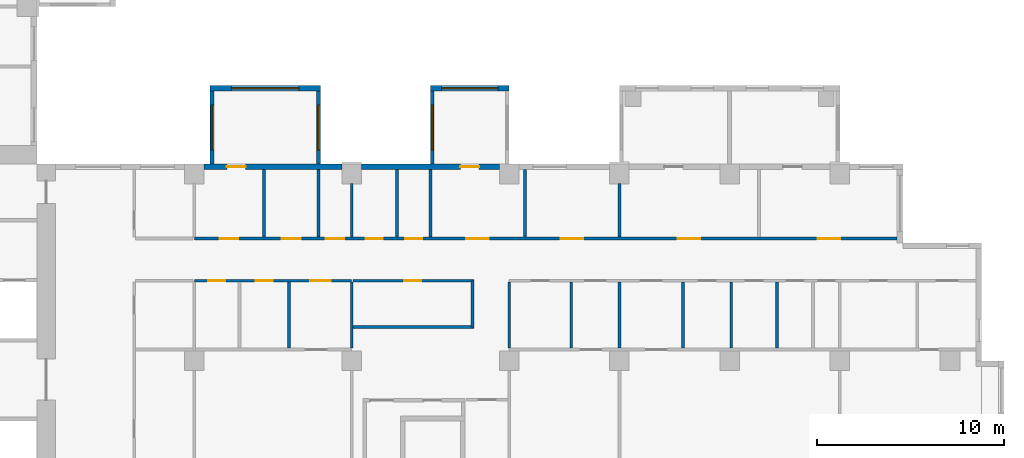
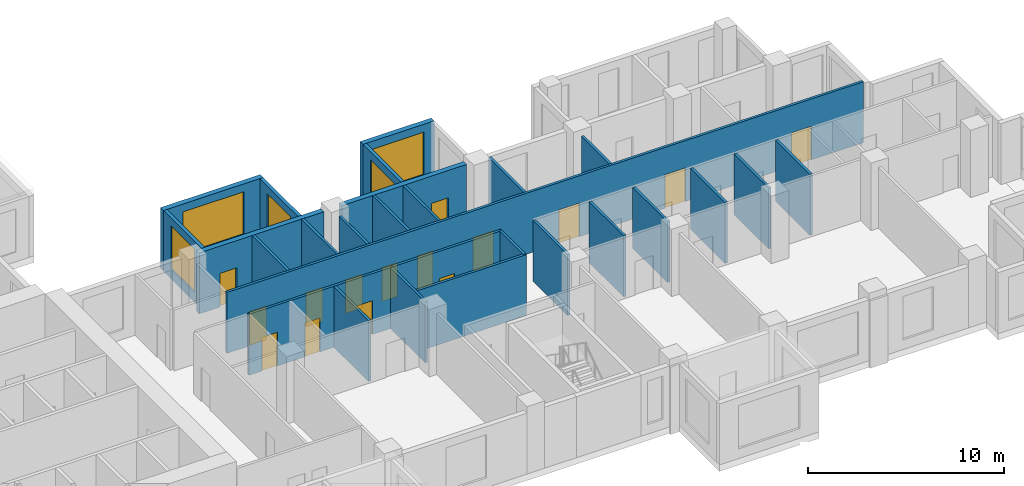
# One storey, part 5 of 15: 27 walls, 15 doors, 5 windows, 20 openings.
"""IFC4 building model written with IfcOpenShell, lengths in metres."""

import ifcopenshell
import ifcopenshell.guid

model = None  # the IFC model being written
_history = None  # IfcOwnerHistory: only IFC2X3 demands one
_inside = {}  # id of a spatial element -> (the spatial element, [elements in it])
_under = {}  # id of a project, library or spatial element -> (it, [spatial elements below it])
_declared = {}  # id of a project -> (the project, [libraries it declares])
_typed = {}  # id of a type object -> (the type object, [elements of that type])
_made_of = {}  # id of a material, layer set ... -> (it, [elements and type objects made of it])


def new_model(schema):
    """Start an empty IFC model of exactly this schema.

    Asked for "IFC4X3", IfcOpenShell would pick the latest addendum, in which some entities
    have other attributes; the version numbers below select the first issue.
    IFC2X3 requires an IfcOwnerHistory on every rooted entity: one is made here for all.
    """
    global model, _history
    if schema == "IFC4X3":
        model = ifcopenshell.file(schema_version=(4, 3, 0, 0))
    else:
        model = ifcopenshell.file(schema=schema)
    _inside.clear()
    _under.clear()
    _declared.clear()
    _typed.clear()
    _made_of.clear()
    _history = None
    if model.schema == "IFC2X3":
        org = make("IfcOrganization", Name="unknown")
        user = make(
            "IfcPersonAndOrganization",
            ThePerson=make("IfcPerson", FamilyName="unknown"),
            TheOrganization=org,
        )
        app = make(
            "IfcApplication",
            ApplicationDeveloper=org,
            Version="unknown",
            ApplicationFullName="unknown",
            ApplicationIdentifier="unknown",
        )
        _history = make(
            "IfcOwnerHistory",
            OwningUser=user,
            OwningApplication=app,
            ChangeAction="ADDED",
            CreationDate=0,
        )
    return model


def make(cls, **values):
    """One entity of the class cls with the attributes given. An attribute that is None is left unset."""
    return model.create_entity(
        cls, **{name: value for name, value in values.items() if value is not None}
    )


def rooted(cls, **values):
    """An entity with a GlobalId (a new one), such as an element, a storey or a relation."""
    return make(cls, GlobalId=ifcopenshell.guid.new(), OwnerHistory=_history, **values)


def si_unit(unit_type, name, prefix=None):
    """IfcSIUnit, for example si_unit("LENGTHUNIT", "METRE", prefix="MILLI")."""
    return make("IfcSIUnit", UnitType=unit_type, Prefix=prefix, Name=name)


def assignment(units):
    """IfcUnitAssignment: the units of a project."""
    return None if units is None else make("IfcUnitAssignment", Units=units)


def point(xyz):
    """IfcCartesianPoint."""
    return None if xyz is None else make("IfcCartesianPoint", Coordinates=xyz)


def direction(xyz):
    """IfcDirection."""
    return None if xyz is None else make("IfcDirection", DirectionRatios=xyz)


def frame(location, z_axis=None, x_axis=None):
    """IfcAxis2Placement3D, a coordinate frame: its origin and axes. An axis left out is left unset."""
    return make(
        "IfcAxis2Placement3D",
        Location=point(location),
        Axis=direction(z_axis),
        RefDirection=direction(x_axis),
    )


def frame_2d(location, x_axis=None):
    """IfcAxis2Placement2D, a coordinate frame in the plane: its origin and x axis."""
    return make(
        "IfcAxis2Placement2D", Location=point(location), RefDirection=direction(x_axis)
    )


def origin():
    """The frame at (0, 0, 0) with its axes left unset."""
    return frame((0.0, 0.0, 0.0))


def place(relative_to, where):
    """IfcLocalPlacement: puts the frame where relative to a parent placement (None: the world)."""
    return make(
        "IfcLocalPlacement", PlacementRelTo=relative_to, RelativePlacement=where
    )


def context(
    kind, dimensions, precision=None, world=None, true_north=None, identifier=None
):
    """IfcGeometricRepresentationContext, for example the 3D "Model" context."""
    return make(
        "IfcGeometricRepresentationContext",
        ContextIdentifier=identifier,
        ContextType=kind,
        CoordinateSpaceDimension=dimensions,
        Precision=precision,
        WorldCoordinateSystem=world,
        TrueNorth=true_north,
    )


def subcontext(parent, identifier, kind, view, scale=None):
    """IfcGeometricRepresentationSubContext, for example "Body" below "Model"."""
    return make(
        "IfcGeometricRepresentationSubContext",
        ContextIdentifier=identifier,
        ContextType=kind,
        ParentContext=parent,
        TargetScale=scale,
        TargetView=view,
    )


def project(units=None, contexts=None):
    """IfcProject with its units and contexts."""
    return rooted(
        "IfcProject",
        Name="project",
        RepresentationContexts=contexts,
        UnitsInContext=assignment(units),
    )


def spatial(cls, under=None, at=None, **own):
    """A site, building, storey or space (cls), placed at a placement, below another one or the project."""
    s = rooted(cls, ObjectPlacement=at, **own)
    if under is not None:
        _under.setdefault(under.id(), (under, []))[1].append(s)
    return s


def profile(cls, at=None, kind="AREA", **sizes):
    """A parametric profile (cls). Its sizes go by their IFC names, for example OverallWidth=200.0."""
    return make(cls, ProfileType=kind, Position=at, **sizes)


def rectangle(**sizes):
    """IfcRectangleProfileDef."""
    return profile("IfcRectangleProfileDef", **sizes)


def extrude(swept, where, along, depth):
    """IfcExtrudedAreaSolid: the profile swept, set in the frame where, extruded along a direction by depth."""
    return make(
        "IfcExtrudedAreaSolid",
        SweptArea=swept,
        Position=where,
        ExtrudedDirection=direction(along),
        Depth=depth,
    )


def shape(context_of_items, identifier, shape_type, items):
    """IfcShapeRepresentation: the items that make up one representation, for example the "Body"."""
    return make(
        "IfcShapeRepresentation",
        ContextOfItems=context_of_items,
        RepresentationIdentifier=identifier,
        RepresentationType=shape_type,
        Items=items,
    )


def source(mapping_origin, context_of_items, identifier, shape_type, items):
    """IfcRepresentationMap: a shape defined once, which mapped items show again and again."""
    return make(
        "IfcRepresentationMap",
        MappingOrigin=mapping_origin,
        MappedRepresentation=shape(context_of_items, identifier, shape_type, items),
    )


def transform(
    local_origin,
    x_axis=None,
    y_axis=None,
    z_axis=None,
    scale=None,
    scale2=None,
    scale3=None,
    uniform=True,
):
    """IfcCartesianTransformationOperator3D, or its non-uniform kind. x_axis, y_axis, z_axis: its Axis1, 2, 3."""
    if uniform:
        return make(
            "IfcCartesianTransformationOperator3D",
            Axis1=direction(x_axis),
            Axis2=direction(y_axis),
            LocalOrigin=point(local_origin),
            Scale=scale,
            Axis3=direction(z_axis),
        )
    return make(
        "IfcCartesianTransformationOperator3DnonUniform",
        Axis1=direction(x_axis),
        Axis2=direction(y_axis),
        LocalOrigin=point(local_origin),
        Scale=scale,
        Axis3=direction(z_axis),
        Scale2=scale2,
        Scale3=scale3,
    )


def mapped(mapping_source, mapping_target):
    """IfcMappedItem: shows the shape of a source again, moved by a transform."""
    return make(
        "IfcMappedItem", MappingSource=mapping_source, MappingTarget=mapping_target
    )


def material(Name=None, Category=None):
    """IfcMaterial."""
    return make("IfcMaterial", Name=Name, Category=Category)


def layer(
    of_material, thickness, ventilated=None, Name=None, Category=None, Priority=None
):
    """IfcMaterialLayer: one layer of a wall or slab, of a material (None: an air gap)."""
    return make(
        "IfcMaterialLayer",
        Material=of_material,
        LayerThickness=thickness,
        IsVentilated=ventilated,
        Name=Name,
        Category=Category,
        Priority=Priority,
    )


def layer_set(layers, Name=None):
    """IfcMaterialLayerSet."""
    return make("IfcMaterialLayerSet", MaterialLayers=layers, LayerSetName=Name)


def made_of(thing, what):
    """Note that an element or type object is made of a material, layer set ...; save() writes the relation."""
    if what is not None:
        _made_of.setdefault(what.id(), (what, []))[1].append(thing)
    return thing


def type_object(cls, material=None, **own):
    """A type object (cls), such as IfcWallType, which elements share."""
    return made_of(rooted(cls, **own), material)


def element(
    cls,
    number,
    at=None,
    inside=None,
    cuts=None,
    type_object=None,
    material=None,
    context=None,
    identifier="Body",
    shape_type=None,
    held_by="IfcProductDefinitionShape",
    body=None,
    shapes=None,
    **own,
):
    """One element of the class cls, such as IfcWall. Its Tag is "e" and its number.

    at: its placement. inside: the storey or other place that contains it. cuts: it is an
    opening in that element (IfcRelVoidsElement). A single representation is given by context,
    identifier, shape_type and body (its items); several are given by shapes. held_by: the class
    of the entity that holds the representations. save() writes the other relations.
    """
    e = rooted(cls, Tag="e%d" % number, ObjectPlacement=at, **own)
    if body is not None:
        shapes = [shape(context, identifier, shape_type, body)]
    if shapes is not None:
        e.Representation = make(held_by, Representations=shapes)
    if inside is not None:
        _inside.setdefault(inside.id(), (inside, []))[1].append(e)
    if cuts is not None:
        rooted(
            "IfcRelVoidsElement", RelatingBuildingElement=cuts, RelatedOpeningElement=e
        )
    if type_object is not None:
        _typed.setdefault(type_object.id(), (type_object, []))[1].append(e)
    return made_of(e, material)


def fill(opening, filler):
    """IfcRelFillsElement: the door or window that sits in an opening."""
    return rooted(
        "IfcRelFillsElement",
        RelatingOpeningElement=opening,
        RelatedBuildingElement=filler,
    )


def aggregate(whole, parts):
    """IfcRelAggregates: a whole, such as a stair, and the parts it consists of."""
    return rooted("IfcRelAggregates", RelatingObject=whole, RelatedObjects=parts)


def save(model, path):
    """Write the relations noted so far, then the file.

    IfcRelAggregates (storeys below a building ...), IfcRelContainedInSpatialStructure (elements
    in a storey), IfcRelDefinesByType, IfcRelAssociatesMaterial and IfcRelDeclares: one each for
    every whole, place, type object, material and project.
    """
    for whole, parts in _under.values():
        aggregate(whole, parts)
    for where, things in _inside.values():
        rooted(
            "IfcRelContainedInSpatialStructure",
            RelatedElements=things,
            RelatingStructure=where,
        )
    for kind, things in _typed.values():
        rooted("IfcRelDefinesByType", RelatedObjects=things, RelatingType=kind)
    for what, things in _made_of.values():
        rooted("IfcRelAssociatesMaterial", RelatedObjects=things, RelatingMaterial=what)
    for by, libraries in _declared.values():
        rooted("IfcRelDeclares", RelatingContext=by, RelatedDefinitions=libraries)
    model.write(path)


model = new_model("IFC4")

# Units and contexts
model_context = context("Model", 3, precision=1e-05, world=origin(), true_north=direction((0.0, 1.0)))
body_context = subcontext(model_context, "Body", "Model", "MODEL_VIEW")
ifc_project = project(units=[si_unit("LENGTHUNIT", "METRE"), si_unit("AREAUNIT", "SQUARE_METRE"), si_unit("VOLUMEUNIT", "CUBIC_METRE"), si_unit("PLANEANGLEUNIT", "RADIAN"), si_unit("MASSUNIT", "GRAM", prefix="KILO")], contexts=[model_context])

# Site, building, storey
site_placement = place(None, origin())
site = spatial("IfcSite", under=ifc_project, at=site_placement, CompositionType="ELEMENT")
building_placement = place(site_placement, origin())
building = spatial("IfcBuilding", under=site, at=building_placement, Name="Aurelian Terraces", CompositionType="ELEMENT")
storey_placement = place(building_placement, frame((0.0, 0.0, 137.1)))
storey = spatial("IfcBuildingStorey", under=building, at=storey_placement, Name="L30", CompositionType="ELEMENT", Elevation=137.1)

# Wall, opening, window
ifc_material_1 = material(Name="Concrete fc' 40 MPa", Category="concrete")
ifc_layer_1 = layer(ifc_material_1, 0.2)
ifc_layer_set_1 = layer_set([ifc_layer_1], Name="BOX BEARING WALL 200")
wall_type_1 = type_object("IfcWallType", Name="BOX BEARING WALL 200", PredefinedType="SOLIDWALL", material=ifc_layer_set_1)
shared_shape_1 = source(origin(), body_context, "Body", "SweptSolid", [
    extrude(rectangle(XDim=3.9, YDim=0.2, at=frame_2d((1.95, 0.0))), origin(), (0.0, 0.0, 1.0), 3.79),
])
wall_1_placement = place(storey_placement, frame((36.02, 21.0, 0.0), z_axis=(0.0, 0.0, 1.0), x_axis=(0.0, 1.0, 0.0)))
wall_1 = element("IfcWall", 1, at=wall_1_placement, inside=storey, type_object=wall_type_1, Name="Box return L30 J42.1", PredefinedType="SOLIDWALL", context=body_context, shape_type="MappedRepresentation", body=[
    mapped(shared_shape_1, transform((0.0, 0.0, 0.0), scale=1.0)),
])
shared_shape_2 = source(origin(), body_context, "Body", "SweptSolid", [
    extrude(rectangle(XDim=2.4, YDim=2.7, at=frame_2d((1.2, 1.35))), frame((0.0, 0.11, 0.0), z_axis=(0.0, -1.0, 0.0), x_axis=(1.0, 0.0, 0.0)), (0.0, 0.0, 1.0), 0.22),
])
opening_1_placement = place(wall_1_placement, frame((0.75, 0.0, 0.6)))
opening_1 = element("IfcOpeningElement", 2, at=opening_1_placement, cuts=wall_1, Name="Opening W2427", PredefinedType="OPENING", context=body_context, shape_type="MappedRepresentation", body=[
    mapped(shared_shape_2, transform((0.0, 0.0, 0.0), scale=1.0)),
])
ifc_material_2 = material(Name="Clear glazing", Category="glass")
window_type_1 = type_object("IfcWindowType", Name="W-2400x2700", PartitioningType="SINGLE_PANEL", PredefinedType="WINDOW", material=ifc_material_2)
shared_shape_3 = source(origin(), body_context, "Body", "SweptSolid", [
    extrude(rectangle(XDim=2.4, YDim=2.7, at=frame_2d((1.2, 1.35))), frame((0.0, 0.03, 0.0), z_axis=(0.0, -1.0, 0.0), x_axis=(1.0, 0.0, 0.0)), (0.0, 0.0, 1.0), 0.06),
])
window_1_placement = place(opening_1_placement, origin())
window_1 = element("IfcWindow", 3, at=window_1_placement, inside=storey, type_object=window_type_1, Name="Window L30 J42-S1", OverallHeight=2.7, OverallWidth=2.4, PartitioningType="SINGLE_PANEL", PredefinedType="WINDOW", context=body_context, shape_type="MappedRepresentation", body=[
    mapped(shared_shape_3, transform((0.0, 0.0, 0.0), scale=1.0)),
])
fill(opening_1, window_1)

wall_2_placement = place(storey_placement, frame((30.34, 21.0, 0.0), z_axis=(0.0, 0.0, 1.0), x_axis=(0.0, 1.0, 0.0)))
wall_2 = element("IfcWall", 4, at=wall_2_placement, inside=storey, type_object=wall_type_1, Name="Box return L30 J42.2", PredefinedType="SOLIDWALL", context=body_context, shape_type="MappedRepresentation", body=[
    mapped(shared_shape_1, transform((0.0, 0.0, 0.0), scale=1.0)),
])
opening_2_placement = place(wall_2_placement, frame((0.75, 0.0, 0.6)))
opening_2 = element("IfcOpeningElement", 5, at=opening_2_placement, cuts=wall_2, Name="Opening W2427", PredefinedType="OPENING", context=body_context, shape_type="MappedRepresentation", body=[
    mapped(shared_shape_2, transform((0.0, 0.0, 0.0), scale=1.0)),
])
window_2_placement = place(opening_2_placement, origin())
window_2 = element("IfcWindow", 6, at=window_2_placement, inside=storey, type_object=window_type_1, Name="Window L30 J42-S2", OverallHeight=2.7, OverallWidth=2.4, PartitioningType="SINGLE_PANEL", PredefinedType="WINDOW", context=body_context, shape_type="MappedRepresentation", body=[
    mapped(shared_shape_3, transform((0.0, 0.0, 0.0), scale=1.0)),
])
fill(opening_2, window_2)

wall_3_placement = place(storey_placement, frame((42.1, 21.0, 0.0), z_axis=(0.0, 0.0, 1.0), x_axis=(0.0, 1.0, 0.0)))
wall_3 = element("IfcWall", 7, at=wall_3_placement, inside=storey, type_object=wall_type_1, Name="Box return L30 J43.2", PredefinedType="SOLIDWALL", context=body_context, shape_type="MappedRepresentation", body=[
    mapped(shared_shape_1, transform((0.0, 0.0, 0.0), scale=1.0)),
])
opening_3_placement = place(wall_3_placement, frame((0.75, 0.0, 0.6)))
opening_3 = element("IfcOpeningElement", 8, at=opening_3_placement, cuts=wall_3, Name="Opening W2427", PredefinedType="OPENING", context=body_context, shape_type="MappedRepresentation", body=[
    mapped(shared_shape_2, transform((0.0, 0.0, 0.0), scale=1.0)),
])
window_3_placement = place(opening_3_placement, origin())
window_3 = element("IfcWindow", 9, at=window_3_placement, inside=storey, type_object=window_type_1, Name="Window L30 J43-S2", OverallHeight=2.7, OverallWidth=2.4, PartitioningType="SINGLE_PANEL", PredefinedType="WINDOW", context=body_context, shape_type="MappedRepresentation", body=[
    mapped(shared_shape_3, transform((0.0, 0.0, 0.0), scale=1.0)),
])
fill(opening_3, window_3)

ifc_layer_2 = layer(ifc_material_1, 0.3)
ifc_layer_set_2 = layer_set([ifc_layer_2], Name="BOX BEARING WALL 300")
wall_type_2 = type_object("IfcWallType", Name="BOX BEARING WALL 300", PredefinedType="SOLIDWALL", material=ifc_layer_set_2)
shared_shape_4 = source(origin(), body_context, "Body", "SweptSolid", [
    extrude(rectangle(XDim=5.88, YDim=0.3, at=frame_2d((2.94, 0.0))), origin(), (0.0, 0.0, 1.0), 3.79),
])
wall_4_placement = place(storey_placement, frame((36.12, 25.05, 0.0), z_axis=(0.0, 0.0, 1.0), x_axis=(-1.0, 0.0, 0.0)))
wall_4 = element("IfcWall", 10, at=wall_4_placement, inside=storey, type_object=wall_type_2, Name="Box wall L30 J42", PredefinedType="SOLIDWALL", context=body_context, shape_type="MappedRepresentation", body=[
    mapped(shared_shape_4, transform((0.0, 0.0, 0.0), scale=1.0)),
])
shared_shape_5 = source(origin(), body_context, "Body", "SweptSolid", [
    extrude(rectangle(XDim=3.6, YDim=2.7, at=frame_2d((1.8, 1.35))), frame((0.0, 0.16, 0.0), z_axis=(0.0, -1.0, 0.0), x_axis=(1.0, 0.0, 0.0)), (0.0, 0.0, 1.0), 0.32),
])
opening_4_placement = place(wall_4_placement, frame((1.14, 0.0, 0.6)))
opening_4 = element("IfcOpeningElement", 11, at=opening_4_placement, cuts=wall_4, Name="Opening W3627", PredefinedType="OPENING", context=body_context, shape_type="MappedRepresentation", body=[
    mapped(shared_shape_5, transform((0.0, 0.0, 0.0), scale=1.0)),
])
window_type_2 = type_object("IfcWindowType", Name="W-3600x2700", PartitioningType="SINGLE_PANEL", PredefinedType="WINDOW", material=ifc_material_2)
shared_shape_6 = source(origin(), body_context, "Body", "SweptSolid", [
    extrude(rectangle(XDim=3.6, YDim=2.7, at=frame_2d((1.8, 1.35))), frame((0.0, 0.03, 0.0), z_axis=(0.0, -1.0, 0.0), x_axis=(1.0, 0.0, 0.0)), (0.0, 0.0, 1.0), 0.06),
])
window_4_placement = place(opening_4_placement, origin())
window_4 = element("IfcWindow", 12, at=window_4_placement, inside=storey, type_object=window_type_2, Name="Window L30 J42-F1", OverallHeight=2.7, OverallWidth=3.6, PartitioningType="SINGLE_PANEL", PredefinedType="WINDOW", context=body_context, shape_type="MappedRepresentation", body=[
    mapped(shared_shape_6, transform((0.0, 0.0, 0.0), scale=1.0)),
])
fill(opening_4, window_4)

shared_shape_7 = source(origin(), body_context, "Body", "SweptSolid", [
    extrude(rectangle(XDim=4.2, YDim=0.3, at=frame_2d((2.1, 0.0))), origin(), (0.0, 0.0, 1.0), 3.79),
])
wall_5_placement = place(storey_placement, frame((46.2, 25.05, 0.0), z_axis=(0.0, 0.0, 1.0), x_axis=(-1.0, 0.0, 0.0)))
wall_5 = element("IfcWall", 13, at=wall_5_placement, inside=storey, type_object=wall_type_2, Name="Box wall L30 J43", PredefinedType="SOLIDWALL", context=body_context, shape_type="MappedRepresentation", body=[
    mapped(shared_shape_7, transform((0.0, 0.0, 0.0), scale=1.0)),
])
shared_shape_8 = source(origin(), body_context, "Body", "SweptSolid", [
    extrude(rectangle(XDim=3.0, YDim=2.7, at=frame_2d((1.5, 1.35))), frame((0.0, 0.16, 0.0), z_axis=(0.0, -1.0, 0.0), x_axis=(1.0, 0.0, 0.0)), (0.0, 0.0, 1.0), 0.32),
])
opening_5_placement = place(wall_5_placement, frame((0.6, 0.0, 0.6)))
opening_5 = element("IfcOpeningElement", 14, at=opening_5_placement, cuts=wall_5, Name="Opening W3027", PredefinedType="OPENING", context=body_context, shape_type="MappedRepresentation", body=[
    mapped(shared_shape_8, transform((0.0, 0.0, 0.0), scale=1.0)),
])
window_type_3 = type_object("IfcWindowType", Name="W-3000x2700", PartitioningType="SINGLE_PANEL", PredefinedType="WINDOW", material=ifc_material_2)
shared_shape_9 = source(origin(), body_context, "Body", "SweptSolid", [
    extrude(rectangle(XDim=3.0, YDim=2.7, at=frame_2d((1.5, 1.35))), frame((0.0, 0.03, 0.0), z_axis=(0.0, -1.0, 0.0), x_axis=(1.0, 0.0, 0.0)), (0.0, 0.0, 1.0), 0.06),
])
window_5_placement = place(opening_5_placement, origin())
window_5 = element("IfcWindow", 15, at=window_5_placement, inside=storey, type_object=window_type_3, Name="Window L30 J43-F1", OverallHeight=2.7, OverallWidth=3.0, PartitioningType="SINGLE_PANEL", PredefinedType="WINDOW", context=body_context, shape_type="MappedRepresentation", body=[
    mapped(shared_shape_9, transform((0.0, 0.0, 0.0), scale=1.0)),
])
fill(opening_5, window_5)

# Wall, opening, door
ifc_material_3 = material(Name="Terracotta rainscreen cladding", Category="masonry")
ifc_layer_3 = layer(ifc_material_3, 0.3)
ifc_layer_set_3 = layer_set([ifc_layer_3], Name="EW-300")
wall_type_3 = type_object("IfcWallType", Name="EW-300", PredefinedType="STANDARD", material=ifc_layer_set_3)
shared_shape_10 = source(origin(), body_context, "Body", "SweptSolid", [
    extrude(rectangle(XDim=7.35, YDim=0.3, at=frame_2d((3.675, 0.0))), origin(), (0.0, 0.0, 1.0), 3.8),
])
wall_6_placement = place(storey_placement, frame((45.675, 20.85, 0.0), z_axis=(0.0, 0.0, 1.0), x_axis=(-1.0, 0.0, 0.0)))
wall_6 = element("IfcWall", 16, at=wall_6_placement, inside=storey, type_object=wall_type_3, Name="External wall L30 F07.20", PredefinedType="STANDARD", context=body_context, shape_type="MappedRepresentation", body=[
    mapped(shared_shape_10, transform((0.0, 0.0, 0.0), scale=1.0)),
])
shared_shape_11 = source(origin(), body_context, "Body", "SweptSolid", [
    extrude(rectangle(XDim=1.0, YDim=2.1, at=frame_2d((0.5, 1.05))), frame((0.0, 0.16, 0.0), z_axis=(0.0, -1.0, 0.0), x_axis=(1.0, 0.0, 0.0)), (0.0, 0.0, 1.0), 0.32),
])
opening_6_placement = place(wall_6_placement, frame((1.075, 0.0, 0.0)))
opening_6 = element("IfcOpeningElement", 17, at=opening_6_placement, cuts=wall_6, Name="Opening 830005", PredefinedType="OPENING", context=body_context, shape_type="MappedRepresentation", body=[
    mapped(shared_shape_11, transform((0.0, 0.0, 0.0), scale=1.0)),
])
ifc_material_4 = material(Name="Timber door leaf", Category="wood")
door_type_1 = type_object("IfcDoorType", Name="Room door 1000x2100 left", OperationType="SINGLE_SWING_LEFT", PredefinedType="DOOR", material=ifc_material_4)
shared_shape_12 = source(origin(), body_context, "Body", "SweptSolid", [
    extrude(rectangle(XDim=1.0, YDim=2.1, at=frame_2d((0.5, 1.05))), frame((0.0, 0.025, 0.0), z_axis=(0.0, -1.0, 0.0), x_axis=(1.0, 0.0, 0.0)), (0.0, 0.0, 1.0), 0.05),
])
door_1_placement = place(opening_6_placement, origin())
door_1 = element("IfcDoor", 18, at=door_1_placement, inside=storey, type_object=door_type_1, Name="Door 830005", OperationType="SINGLE_SWING_LEFT", OverallHeight=2.1, OverallWidth=1.0, PredefinedType="DOOR", context=body_context, shape_type="MappedRepresentation", body=[
    mapped(shared_shape_12, transform((0.0, 0.0, 0.0), scale=1.0)),
])
fill(opening_6, door_1)

wall_7_placement = place(storey_placement, frame((37.275, 20.85, 0.0), z_axis=(0.0, 0.0, 1.0), x_axis=(-1.0, 0.0, 0.0)))
wall_7 = element("IfcWall", 19, at=wall_7_placement, inside=storey, type_object=wall_type_3, Name="External wall L30 F07.20", PredefinedType="STANDARD", context=body_context, shape_type="MappedRepresentation", body=[
    mapped(shared_shape_10, transform((0.0, 0.0, 0.0), scale=1.0)),
])
opening_7_placement = place(wall_7_placement, frame((5.135, 0.0, 0.0)))
opening_7 = element("IfcOpeningElement", 20, at=opening_7_placement, cuts=wall_7, Name="Opening 830004", PredefinedType="OPENING", context=body_context, shape_type="MappedRepresentation", body=[
    mapped(shared_shape_11, transform((0.0, 0.0, 0.0), scale=1.0)),
])
door_2_placement = place(opening_7_placement, origin())
door_2 = element("IfcDoor", 21, at=door_2_placement, inside=storey, type_object=door_type_1, Name="Door 830004", OperationType="SINGLE_SWING_LEFT", OverallHeight=2.1, OverallWidth=1.0, PredefinedType="DOOR", context=body_context, shape_type="MappedRepresentation", body=[
    mapped(shared_shape_12, transform((0.0, 0.0, 0.0), scale=1.0)),
])
fill(opening_7, door_2)

# Wall
ifc_material_5 = material(Name="Gypsum board on steel studs", Category="steel")
ifc_layer_4 = layer(ifc_material_5, 0.15)
ifc_layer_set_4 = layer_set([ifc_layer_4], Name="Partition 150")
wall_type_4 = type_object("IfcWallType", Name="Partition 150", PredefinedType="PARTITIONING", material=ifc_layer_set_4)
shared_shape_13 = source(origin(), body_context, "Body", "SweptSolid", [
    extrude(rectangle(XDim=6.45, YDim=0.15, at=frame_2d((3.225, 0.0))), origin(), (0.0, 0.0, 1.0), 3.8),
])
wall_8_placement = place(storey_placement, frame((37.875, 12.3, 0.0), z_axis=(0.0, 0.0, 1.0), x_axis=(1.0, 0.0, 0.0)))
element("IfcWall", 22, at=wall_8_placement, inside=storey, type_object=wall_type_4, Name="Partition", PredefinedType="PARTITIONING", context=body_context, shape_type="MappedRepresentation", body=[
    mapped(shared_shape_13, transform((0.0, 0.0, 0.0), scale=1.0)),
])

# Wall, opening, door
ifc_layer_5 = layer(ifc_material_5, 0.15)
ifc_layer_set_5 = layer_set([ifc_layer_5], Name="Fire partition 150")
wall_type_5 = type_object("IfcWallType", Name="Fire partition 150", PredefinedType="PARTITIONING", material=ifc_layer_set_5)
wall_9_placement = place(storey_placement, frame((44.325, 14.775, 0.0), z_axis=(0.0, 0.0, 1.0), x_axis=(-1.0, 0.0, 0.0)))
wall_9 = element("IfcWall", 23, at=wall_9_placement, inside=storey, type_object=wall_type_5, Name="Corridor wall", PredefinedType="PARTITIONING", context=body_context, shape_type="MappedRepresentation", body=[
    mapped(shared_shape_13, transform((0.0, 0.0, 0.0), scale=1.0)),
])
shared_shape_14 = source(origin(), body_context, "Body", "SweptSolid", [
    extrude(rectangle(XDim=0.9, YDim=2.1, at=frame_2d((0.45, 1.05))), frame((0.0, 0.085, 0.0), z_axis=(0.0, -1.0, 0.0), x_axis=(1.0, 0.0, 0.0)), (0.0, 0.0, 1.0), 0.17),
])
opening_8_placement = place(wall_9_placement, frame((2.8125, 0.0, 0.0)))
opening_8 = element("IfcOpeningElement", 24, at=opening_8_placement, cuts=wall_9, Name="Opening 730005", PredefinedType="OPENING", context=body_context, shape_type="MappedRepresentation", body=[
    mapped(shared_shape_14, transform((0.0, 0.0, 0.0), scale=1.0)),
])
door_type_2 = type_object("IfcDoorType", Name="Room door 900x2100 right", OperationType="SINGLE_SWING_RIGHT", PredefinedType="DOOR", material=ifc_material_4)
shared_shape_15 = source(origin(), body_context, "Body", "SweptSolid", [
    extrude(rectangle(XDim=0.9, YDim=2.1, at=frame_2d((0.45, 1.05))), frame((0.0, 0.025, 0.0), z_axis=(0.0, -1.0, 0.0), x_axis=(1.0, 0.0, 0.0)), (0.0, 0.0, 1.0), 0.05),
])
door_3_placement = place(opening_8_placement, origin())
door_3 = element("IfcDoor", 25, at=door_3_placement, inside=storey, type_object=door_type_2, Name="Door 730005", OperationType="SINGLE_SWING_RIGHT", OverallHeight=2.1, OverallWidth=0.9, PredefinedType="DOOR", context=body_context, shape_type="MappedRepresentation", body=[
    mapped(shared_shape_15, transform((0.0, 0.0, 0.0), scale=1.0)),
])
fill(opening_8, door_3)

# Walls
shared_shape_16 = source(origin(), body_context, "Body", "SweptSolid", [
    extrude(rectangle(XDim=3.6, YDim=0.15, at=frame_2d((1.8, 0.0))), origin(), (0.0, 0.0, 1.0), 3.8),
])
for number, where, z_axis, x_axis, name in (
    (26, (33.1133, 20.7, 0.0), (0.0, 0.0, 1.0), (0.0, -1.0, 0.0), "Partition"),
    (27, (36.024, 20.7, 0.0), (0.0, 0.0, 1.0), (0.0, -1.0, 0.0), "Partition"),
    (28, (40.2157, 20.7, 0.0), (0.0, 0.0, 1.0), (0.0, -1.0, 0.0), "Partition"),
    (29, (47.04, 20.7, 0.0), (0.0, 0.0, 1.0), (0.0, -1.0, 0.0), "Partition"),
    (30, (42.0, 17.1, 0.0), (0.0, 0.0, 1.0), (0.0, 1.0, 0.0), "Partition"),
):
    element("IfcWall", number, at=place(storey_placement, frame(where, z_axis=z_axis, x_axis=x_axis)), inside=storey, type_object=wall_type_4, Name=name, PredefinedType="PARTITIONING", context=body_context, shape_type="MappedRepresentation", body=[
        mapped(shared_shape_16, transform((0.0, 0.0, 0.0), scale=1.0)),
    ])

# Wall, openings, doors
shared_shape_17 = source(origin(), body_context, "Body", "SweptSolid", [
    extrude(rectangle(XDim=8.4, YDim=0.15, at=frame_2d((4.2, 0.0))), origin(), (0.0, 0.0, 1.0), 3.8),
])
wall_10_placement = place(storey_placement, frame((37.8, 14.775, 0.0), z_axis=(0.0, 0.0, 1.0), x_axis=(-1.0, 0.0, 0.0)))
wall_10 = element("IfcWall", 31, at=wall_10_placement, inside=storey, type_object=wall_type_5, Name="Corridor wall", PredefinedType="PARTITIONING", context=body_context, shape_type="MappedRepresentation", body=[
    mapped(shared_shape_17, transform((0.0, 0.0, 0.0), scale=1.0)),
])
shared_shape_18 = source(origin(), body_context, "Body", "SweptSolid", [
    extrude(rectangle(XDim=1.1, YDim=2.1, at=frame_2d((0.55, 1.05))), frame((0.0, 0.085, 0.0), z_axis=(0.0, -1.0, 0.0), x_axis=(1.0, 0.0, 0.0)), (0.0, 0.0, 1.0), 0.17),
])
opening_9_placement = place(wall_10_placement, frame((1.1203, 0.0, 0.0)))
opening_9 = element("IfcOpeningElement", 32, at=opening_9_placement, cuts=wall_10, Name="Opening 730007", PredefinedType="OPENING", context=body_context, shape_type="MappedRepresentation", body=[
    mapped(shared_shape_18, transform((0.0, 0.0, 0.0), scale=1.0)),
])
opening_10_placement = place(wall_10_placement, frame((6.7438, 0.0, 0.0)))
opening_10 = element("IfcOpeningElement", 33, at=opening_10_placement, cuts=wall_10, Name="Opening 730009", PredefinedType="OPENING", context=body_context, shape_type="MappedRepresentation", body=[
    mapped(shared_shape_14, transform((0.0, 0.0, 0.0), scale=1.0)),
])
opening_11_placement = place(wall_10_placement, frame((4.2141, 0.0, 0.0)))
opening_11 = element("IfcOpeningElement", 34, at=opening_11_placement, cuts=wall_10, Name="Opening 730010", PredefinedType="OPENING", context=body_context, shape_type="MappedRepresentation", body=[
    mapped(shared_shape_14, transform((0.0, 0.0, 0.0), scale=1.0)),
])
door_type_3 = type_object("IfcDoorType", Name="Room door 900x2100 left", OperationType="SINGLE_SWING_LEFT", PredefinedType="DOOR", material=ifc_material_4)
door_4_placement = place(opening_10_placement, origin())
door_4 = element("IfcDoor", 35, at=door_4_placement, inside=storey, type_object=door_type_3, Name="Door 730009", OperationType="SINGLE_SWING_LEFT", OverallHeight=2.1, OverallWidth=0.9, PredefinedType="DOOR", context=body_context, shape_type="MappedRepresentation", body=[
    mapped(shared_shape_15, transform((0.0, 0.0, 0.0), scale=1.0)),
])
fill(opening_10, door_4)
door_5_placement = place(opening_11_placement, origin())
door_5 = element("IfcDoor", 36, at=door_5_placement, inside=storey, type_object=door_type_2, Name="Door 730010", OperationType="SINGLE_SWING_RIGHT", OverallHeight=2.1, OverallWidth=0.9, PredefinedType="DOOR", context=body_context, shape_type="MappedRepresentation", body=[
    mapped(shared_shape_15, transform((0.0, 0.0, 0.0), scale=1.0)),
])
fill(opening_11, door_5)
door_type_4 = type_object("IfcDoorType", Name="Room door 1100x2100 left", OperationType="SINGLE_SWING_LEFT", PredefinedType="DOOR", material=ifc_material_4)
shared_shape_19 = source(origin(), body_context, "Body", "SweptSolid", [
    extrude(rectangle(XDim=1.1, YDim=2.1, at=frame_2d((0.55, 1.05))), frame((0.0, 0.025, 0.0), z_axis=(0.0, -1.0, 0.0), x_axis=(1.0, 0.0, 0.0)), (0.0, 0.0, 1.0), 0.05),
])
door_6_placement = place(opening_9_placement, origin())
door_6 = element("IfcDoor", 37, at=door_6_placement, inside=storey, type_object=door_type_4, Name="Door 730007", OperationType="SINGLE_SWING_LEFT", OverallHeight=2.1, OverallWidth=1.1, PredefinedType="DOOR", context=body_context, shape_type="MappedRepresentation", body=[
    mapped(shared_shape_19, transform((0.0, 0.0, 0.0), scale=1.0)),
])
fill(opening_9, door_6)

shared_shape_20 = source(origin(), body_context, "Body", "SweptSolid", [
    extrude(rectangle(XDim=37.5, YDim=0.15, at=frame_2d((18.75, 0.0))), origin(), (0.0, 0.0, 1.0), 3.8),
])
wall_11_placement = place(storey_placement, frame((29.4, 17.025, 0.0), z_axis=(0.0, 0.0, 1.0), x_axis=(1.0, 0.0, 0.0)))
wall_11 = element("IfcWall", 38, at=wall_11_placement, inside=storey, type_object=wall_type_5, Name="Corridor wall", PredefinedType="PARTITIONING", context=body_context, shape_type="MappedRepresentation", body=[
    mapped(shared_shape_20, transform((0.0, 0.0, 0.0), scale=1.0)),
])
shared_shape_21 = source(origin(), body_context, "Body", "SweptSolid", [
    extrude(rectangle(XDim=1.0, YDim=2.1, at=frame_2d((0.5, 1.05))), frame((0.0, 0.085, 0.0), z_axis=(0.0, -1.0, 0.0), x_axis=(1.0, 0.0, 0.0)), (0.0, 0.0, 1.0), 0.17),
])
opening_12_placement = place(wall_11_placement, frame((1.3567, 0.0, 0.0)))
opening_12 = element("IfcOpeningElement", 39, at=opening_12_placement, cuts=wall_11, Name="Opening 730023", PredefinedType="OPENING", context=body_context, shape_type="MappedRepresentation", body=[
    mapped(shared_shape_21, transform((0.0, 0.0, 0.0), scale=1.0)),
])
opening_13_placement = place(wall_11_placement, frame((4.6686, 0.0, 0.0)))
opening_13 = element("IfcOpeningElement", 40, at=opening_13_placement, cuts=wall_11, Name="Opening 730024", PredefinedType="OPENING", context=body_context, shape_type="MappedRepresentation", body=[
    mapped(shared_shape_21, transform((0.0, 0.0, 0.0), scale=1.0)),
])
opening_14_placement = place(wall_11_placement, frame((7.012, 0.0, 0.0)))
opening_14 = element("IfcOpeningElement", 41, at=opening_14_placement, cuts=wall_11, Name="Opening 730025", PredefinedType="OPENING", context=body_context, shape_type="MappedRepresentation", body=[
    mapped(shared_shape_21, transform((0.0, 0.0, 0.0), scale=1.0)),
])
opening_15_placement = place(wall_11_placement, frame((9.1578, 0.0, 0.0)))
opening_15 = element("IfcOpeningElement", 42, at=opening_15_placement, cuts=wall_11, Name="Opening 730026", PredefinedType="OPENING", context=body_context, shape_type="MappedRepresentation", body=[
    mapped(shared_shape_14, transform((0.0, 0.0, 0.0), scale=1.0)),
])
opening_16_placement = place(wall_11_placement, frame((11.2578, 0.0, 0.0)))
opening_16 = element("IfcOpeningElement", 43, at=opening_16_placement, cuts=wall_11, Name="Opening 730027", PredefinedType="OPENING", context=body_context, shape_type="MappedRepresentation", body=[
    mapped(shared_shape_14, transform((0.0, 0.0, 0.0), scale=1.0)),
])
shared_shape_22 = source(origin(), body_context, "Body", "SweptSolid", [
    extrude(rectangle(XDim=1.2, YDim=2.1, at=frame_2d((0.6, 1.05))), frame((0.0, 0.085, 0.0), z_axis=(0.0, -1.0, 0.0), x_axis=(1.0, 0.0, 0.0)), (0.0, 0.0, 1.0), 0.17),
])
opening_17_placement = place(wall_11_placement, frame((14.52, 0.0, 0.0)))
opening_17 = element("IfcOpeningElement", 44, at=opening_17_placement, cuts=wall_11, Name="Opening 730028", PredefinedType="OPENING", context=body_context, shape_type="MappedRepresentation", body=[
    mapped(shared_shape_22, transform((0.0, 0.0, 0.0), scale=1.0)),
])
opening_18_placement = place(wall_11_placement, frame((19.56, 0.0, 0.0)))
opening_18 = element("IfcOpeningElement", 45, at=opening_18_placement, cuts=wall_11, Name="Opening 730029", PredefinedType="OPENING", context=body_context, shape_type="MappedRepresentation", body=[
    mapped(shared_shape_22, transform((0.0, 0.0, 0.0), scale=1.0)),
])
opening_19_placement = place(wall_11_placement, frame((25.8038, 0.0, 0.0)))
opening_19 = element("IfcOpeningElement", 46, at=opening_19_placement, cuts=wall_11, Name="Opening 730030", PredefinedType="OPENING", context=body_context, shape_type="MappedRepresentation", body=[
    mapped(shared_shape_22, transform((0.0, 0.0, 0.0), scale=1.0)),
])
opening_20_placement = place(wall_11_placement, frame((33.2512, 0.0, 0.0)))
opening_20 = element("IfcOpeningElement", 47, at=opening_20_placement, cuts=wall_11, Name="Opening 730031", PredefinedType="OPENING", context=body_context, shape_type="MappedRepresentation", body=[
    mapped(shared_shape_22, transform((0.0, 0.0, 0.0), scale=1.0)),
])
door_7_placement = place(opening_12_placement, origin())
door_7 = element("IfcDoor", 48, at=door_7_placement, inside=storey, type_object=door_type_1, Name="Door 730023", OperationType="SINGLE_SWING_LEFT", OverallHeight=2.1, OverallWidth=1.0, PredefinedType="DOOR", context=body_context, shape_type="MappedRepresentation", body=[
    mapped(shared_shape_12, transform((0.0, 0.0, 0.0), scale=1.0)),
])
fill(opening_12, door_7)
door_type_5 = type_object("IfcDoorType", Name="Room door 1000x2100 right", OperationType="SINGLE_SWING_RIGHT", PredefinedType="DOOR", material=ifc_material_4)
door_8_placement = place(opening_13_placement, origin())
door_8 = element("IfcDoor", 49, at=door_8_placement, inside=storey, type_object=door_type_5, Name="Door 730024", OperationType="SINGLE_SWING_RIGHT", OverallHeight=2.1, OverallWidth=1.0, PredefinedType="DOOR", context=body_context, shape_type="MappedRepresentation", body=[
    mapped(shared_shape_12, transform((0.0, 0.0, 0.0), scale=1.0)),
])
fill(opening_13, door_8)
door_9_placement = place(opening_14_placement, origin())
door_9 = element("IfcDoor", 50, at=door_9_placement, inside=storey, type_object=door_type_1, Name="Door 730025", OperationType="SINGLE_SWING_LEFT", OverallHeight=2.1, OverallWidth=1.0, PredefinedType="DOOR", context=body_context, shape_type="MappedRepresentation", body=[
    mapped(shared_shape_12, transform((0.0, 0.0, 0.0), scale=1.0)),
])
fill(opening_14, door_9)
door_10_placement = place(opening_15_placement, origin())
door_10 = element("IfcDoor", 51, at=door_10_placement, inside=storey, type_object=door_type_3, Name="Door 730026", OperationType="SINGLE_SWING_LEFT", OverallHeight=2.1, OverallWidth=0.9, PredefinedType="DOOR", context=body_context, shape_type="MappedRepresentation", body=[
    mapped(shared_shape_15, transform((0.0, 0.0, 0.0), scale=1.0)),
])
fill(opening_15, door_10)
door_11_placement = place(opening_16_placement, origin())
door_11 = element("IfcDoor", 52, at=door_11_placement, inside=storey, type_object=door_type_2, Name="Door 730027", OperationType="SINGLE_SWING_RIGHT", OverallHeight=2.1, OverallWidth=0.9, PredefinedType="DOOR", context=body_context, shape_type="MappedRepresentation", body=[
    mapped(shared_shape_15, transform((0.0, 0.0, 0.0), scale=1.0)),
])
fill(opening_16, door_11)
door_type_6 = type_object("IfcDoorType", Name="Room door 1200x2100 left", OperationType="SINGLE_SWING_LEFT", PredefinedType="DOOR", material=ifc_material_4)
shared_shape_23 = source(origin(), body_context, "Body", "SweptSolid", [
    extrude(rectangle(XDim=1.2, YDim=2.1, at=frame_2d((0.6, 1.05))), frame((0.0, 0.025, 0.0), z_axis=(0.0, -1.0, 0.0), x_axis=(1.0, 0.0, 0.0)), (0.0, 0.0, 1.0), 0.05),
])
door_12_placement = place(opening_17_placement, origin())
door_12 = element("IfcDoor", 53, at=door_12_placement, inside=storey, type_object=door_type_6, Name="Door 730028", OperationType="SINGLE_SWING_LEFT", OverallHeight=2.1, OverallWidth=1.2, PredefinedType="DOOR", context=body_context, shape_type="MappedRepresentation", body=[
    mapped(shared_shape_23, transform((0.0, 0.0, 0.0), scale=1.0)),
])
fill(opening_17, door_12)
door_type_7 = type_object("IfcDoorType", Name="Room door 1200x2100 right", OperationType="SINGLE_SWING_RIGHT", PredefinedType="DOOR", material=ifc_material_4)
door_13_placement = place(opening_18_placement, origin())
door_13 = element("IfcDoor", 54, at=door_13_placement, inside=storey, type_object=door_type_7, Name="Door 730029", OperationType="SINGLE_SWING_RIGHT", OverallHeight=2.1, OverallWidth=1.2, PredefinedType="DOOR", context=body_context, shape_type="MappedRepresentation", body=[
    mapped(shared_shape_23, transform((0.0, 0.0, 0.0), scale=1.0)),
])
fill(opening_18, door_13)
door_14_placement = place(opening_19_placement, origin())
door_14 = element("IfcDoor", 55, at=door_14_placement, inside=storey, type_object=door_type_6, Name="Door 730030", OperationType="SINGLE_SWING_LEFT", OverallHeight=2.1, OverallWidth=1.2, PredefinedType="DOOR", context=body_context, shape_type="MappedRepresentation", body=[
    mapped(shared_shape_23, transform((0.0, 0.0, 0.0), scale=1.0)),
])
fill(opening_19, door_14)
door_15_placement = place(opening_20_placement, origin())
door_15 = element("IfcDoor", 56, at=door_15_placement, inside=storey, type_object=door_type_7, Name="Door 730031", OperationType="SINGLE_SWING_RIGHT", OverallHeight=2.1, OverallWidth=1.2, PredefinedType="DOOR", context=body_context, shape_type="MappedRepresentation", body=[
    mapped(shared_shape_23, transform((0.0, 0.0, 0.0), scale=1.0)),
])
fill(opening_20, door_15)

# Walls
shared_shape_24 = source(origin(), body_context, "Body", "SweptSolid", [
    extrude(rectangle(XDim=2.475, YDim=0.15, at=frame_2d((1.2375, 0.0))), origin(), (0.0, 0.0, 1.0), 3.8),
])
wall_12_placement = place(storey_placement, frame((44.25, 12.3, 0.0), z_axis=(0.0, 0.0, 1.0), x_axis=(0.0, 1.0, 0.0)))
element("IfcWall", 57, at=wall_12_placement, inside=storey, type_object=wall_type_4, Name="Partition", PredefinedType="PARTITIONING", context=body_context, shape_type="MappedRepresentation", body=[
    mapped(shared_shape_24, transform((0.0, 0.0, 0.0), scale=1.0)),
])
shared_shape_25 = source(origin(), body_context, "Body", "SweptSolid", [
    extrude(rectangle(XDim=2.851, YDim=0.15, at=frame_2d((1.4255, 0.0))), origin(), (0.0, 0.0, 1.0), 3.8),
])
for number, where, z_axis, x_axis, name in (
    (58, (37.8, 17.1, 0.0), (0.0, 0.0, 1.0), (0.0, 1.0, 0.0), "Partition"),
    (59, (52.08, 17.1, 0.0), (0.0, 0.0, 1.0), (0.0, 1.0, 0.0), "Partition"),
):
    element("IfcWall", number, at=place(storey_placement, frame(where, z_axis=z_axis, x_axis=x_axis)), inside=storey, type_object=wall_type_4, Name=name, PredefinedType="PARTITIONING", context=body_context, shape_type="MappedRepresentation", body=[
        mapped(shared_shape_25, transform((0.0, 0.0, 0.0), scale=1.0)),
    ])
shared_shape_26 = source(origin(), body_context, "Body", "SweptSolid", [
    extrude(rectangle(XDim=3.525, YDim=0.15, at=frame_2d((1.7625, 0.0))), origin(), (0.0, 0.0, 1.0), 3.8),
])
for number, where, z_axis, x_axis, name in (
    (60, (34.4595, 11.175, 0.0), (0.0, 0.0, 1.0), (0.0, 1.0, 0.0), "Partition"),
    (61, (37.8, 11.175, 0.0), (0.0, 0.0, 1.0), (0.0, 1.0, 0.0), "Partition"),
    (62, (49.5116, 11.175, 0.0), (0.0, 0.0, 1.0), (0.0, 1.0, 0.0), "Partition"),
    (63, (55.4756, 11.175, 0.0), (0.0, 0.0, 1.0), (0.0, 1.0, 0.0), "Partition"),
    (64, (58.0527, 11.175, 0.0), (0.0, 0.0, 1.0), (0.0, 1.0, 0.0), "Partition"),
    (65, (60.4833, 11.175, 0.0), (0.0, 0.0, 1.0), (0.0, 1.0, 0.0), "Partition"),
    (66, (46.2, 11.175, 0.0), (0.0, 0.0, 1.0), (0.0, 1.0, 0.0), "Partition"),
    (67, (52.08, 11.175, 0.0), (0.0, 0.0, 1.0), (0.0, 1.0, 0.0), "Partition"),
):
    element("IfcWall", number, at=place(storey_placement, frame(where, z_axis=z_axis, x_axis=x_axis)), inside=storey, type_object=wall_type_4, Name=name, PredefinedType="PARTITIONING", context=body_context, shape_type="MappedRepresentation", body=[
        mapped(shared_shape_26, transform((0.0, 0.0, 0.0), scale=1.0)),
    ])

save(model, "model.ifc")
